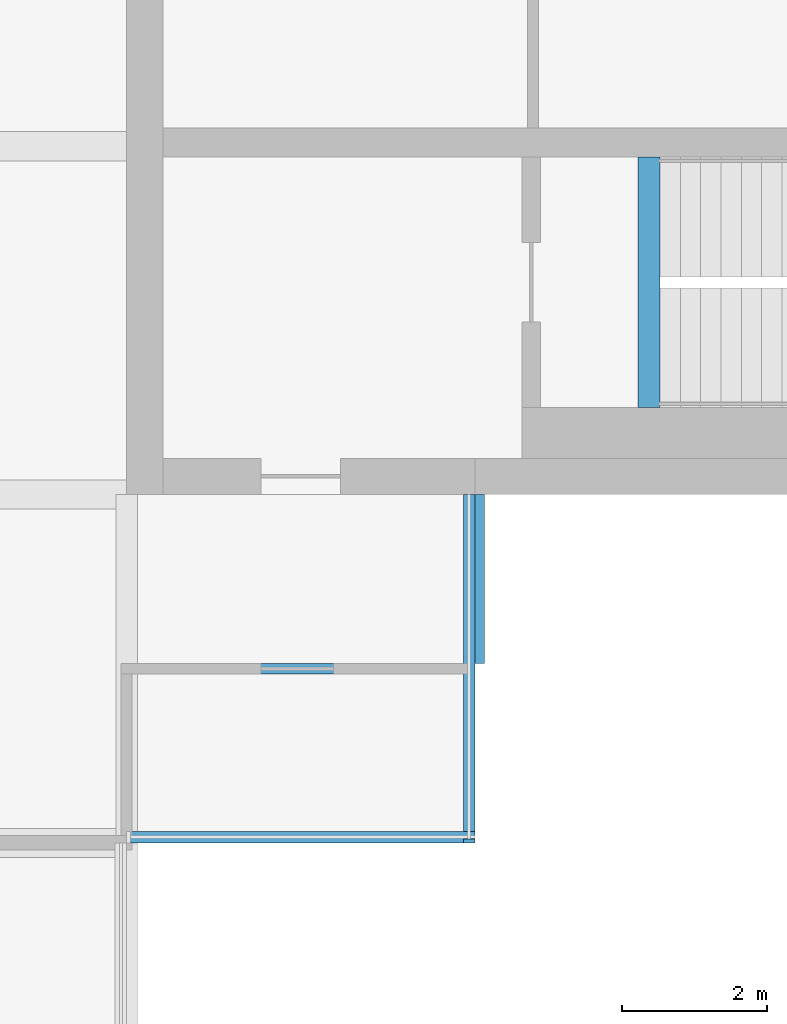
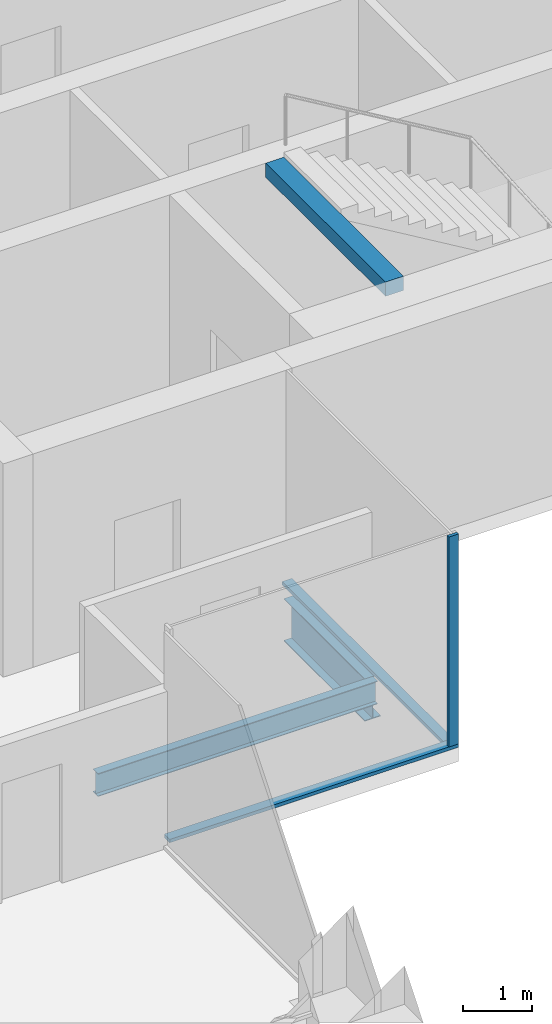
# One storey, part 4 of 11: 3 beams, 3 members, 2 elements without a shape of their own.
"""IFC4 building model written with IfcOpenShell, lengths in metres."""

from ifc_helpers import new_model, si_unit, direction, frame, origin, origin_2d, place, context, subcontext, project, spatial, rectangle, i_section, extrude, material, material_profile, profile_set, type_object, element, aggregate, save


model = new_model("IFC4")

# Units and contexts
model_context = context("Model", 3, precision=1e-05, world=origin(), true_north=direction((0.0, 1.0)))
body_context = subcontext(model_context, "Body", "Model", "MODEL_VIEW")
ifc_project = project(units=[si_unit("LENGTHUNIT", "METRE"), si_unit("AREAUNIT", "SQUARE_METRE"), si_unit("VOLUMEUNIT", "CUBIC_METRE"), si_unit("PLANEANGLEUNIT", "RADIAN"), si_unit("MASSUNIT", "GRAM", prefix="KILO")], contexts=[model_context])

# Site, building, storey
site_placement = place(None, origin())
site = spatial("IfcSite", under=ifc_project, at=site_placement, CompositionType="ELEMENT")
building_placement = place(site_placement, origin())
building = spatial("IfcBuilding", under=site, at=building_placement, Name="Baori Bourse Tower", CompositionType="ELEMENT")
storey_placement = place(building_placement, frame((0.0, 0.0, 354.300048828125)))
storey = spatial("IfcBuildingStorey", under=building, at=storey_placement, Name="L79", CompositionType="ELEMENT", Elevation=354.300048828125)

# Curtain wall, members
ifc_material_1 = material(Name="Pale anodised aluminium", Category="aluminium")
curtain_wall_type = type_object("IfcCurtainWallType", Name="CW3 Curtain wall", PredefinedType="NOTDEFINED", material=ifc_material_1)
curtain_wall_1_placement = place(storey_placement, origin())
curtain_wall_1 = element("IfcCurtainWall", 1, at=curtain_wall_1_placement, inside=storey, type_object=curtain_wall_type, Name="Curtain wall CW3 L79 1", PredefinedType="NOTDEFINED")
ifc_material_2 = material(Name="Pale anodised aluminium", Category="aluminium")
ifc_material_profile_1 = material_profile(ifc_material_2, rectangle(XDim=0.159912109375, YDim=0.050048828125, at=origin_2d()), Name="Mullion 50x160")
ifc_profile_set_1 = profile_set([ifc_material_profile_1], Name="Pale anodised aluminium")
member_type_1 = type_object("IfcMemberType", Name="CW3 Curtain wall mullion", PredefinedType="MULLION", material=ifc_profile_set_1)
member_1_placement = place(storey_placement, frame((43.1201171875, 4.824951171875, 0.06005859375), z_axis=(0.0, 0.0, 1.0), x_axis=(-1.0, 0.0, 0.0)))
member_1 = element("IfcMember", 2, at=member_1_placement, type_object=member_type_1, Name="Curtain wall CW3 mullion", PredefinedType="MULLION", context=body_context, shape_type="SweptSolid", body=[
    extrude(rectangle(XDim=0.159912109375, YDim=0.050048828125, at=origin_2d()), origin(), (0.0, 0.0, 1.0), 3.68994140625),
])
ifc_material_3 = material(Name="Pale anodised aluminium", Category="aluminium")
ifc_material_profile_2 = material_profile(ifc_material_3, rectangle(XDim=0.159912109375, YDim=0.06005859375, at=origin_2d()), Name="Transom 60x160")
ifc_profile_set_2 = profile_set([ifc_material_profile_2], Name="Pale anodised aluminium")
member_type_2 = type_object("IfcMemberType", Name="CW3 Curtain wall transom", PredefinedType="USERDEFINED", material=ifc_profile_set_2)
member_2_placement = place(storey_placement, frame((43.1201171875, 4.800048828125, 0.030029296875), z_axis=(0.0, 1.0, 0.0), x_axis=(-1.0, 0.0, 0.0)))
member_2 = element("IfcMember", 3, at=member_2_placement, type_object=member_type_2, Name="Curtain wall CW3 sill rail", ObjectType="TRANSOM", PredefinedType="USERDEFINED", context=body_context, shape_type="SweptSolid", body=[
    extrude(rectangle(XDim=0.159912109375, YDim=0.06005859375, at=origin_2d()), origin(), (0.0, 0.0, 1.0), 4.800048828125),
])
aggregate(curtain_wall_1, [member_2, member_1])

# Curtain wall, member
curtain_wall_2_placement = place(storey_placement, origin())
curtain_wall_2 = element("IfcCurtainWall", 4, at=curtain_wall_2_placement, inside=storey, type_object=curtain_wall_type, Name="Curtain wall CW3 L79 16", PredefinedType="NOTDEFINED")
member_3_placement = place(storey_placement, frame((38.39990234375, 4.8798828125, 0.030029296875), z_axis=(1.0, 0.0, 0.0), x_axis=(0.0, 1.0, 0.0)))
member_3 = element("IfcMember", 5, at=member_3_placement, type_object=member_type_2, Name="Curtain wall CW3 sill rail", ObjectType="TRANSOM", PredefinedType="USERDEFINED", context=body_context, shape_type="SweptSolid", body=[
    extrude(rectangle(XDim=0.159912109375, YDim=0.06005859375, at=origin_2d()), origin(), (0.0, 0.0, 1.0), 4.800048828125),
])
aggregate(curtain_wall_2, [member_3])

# Beams
ifc_material_4 = material(Name="Steel A992 Gr 50", Category="steel")
ifc_material_profile_3 = material_profile(ifc_material_4, i_section(OverallWidth=0.26416015625, OverallDepth=0.749267578125, WebThickness=0.011962890625, FlangeThickness=0.015380859375, at=origin_2d()), Name="W30x90")
ifc_profile_set_3 = profile_set([ifc_material_profile_3], Name="Steel A992 Gr 50")
beam_type_1 = type_object("IfcBeamType", Name="Core bracket W30x90", PredefinedType="BEAM", material=ifc_profile_set_3)
beam_1_placement = place(storey_placement, frame((43.199951171875, 7.270263671875, -0.624755859375), z_axis=(0.0, 1.0, 0.0), x_axis=(-1.0, 0.0, 0.0)))
element("IfcBeam", 6, at=beam_1_placement, inside=storey, type_object=beam_type_1, Name="Core bracket L79", PredefinedType="BEAM", context=body_context, shape_type="SweptSolid", body=[
    extrude(i_section(OverallWidth=0.26416015625, OverallDepth=0.749267578125, WebThickness=0.011962890625, FlangeThickness=0.015380859375, at=origin_2d()), origin(), (0.0, 0.0, 1.0), 2.329833984375),
])
ifc_material_5 = material(Name="Concrete f'c 50 MPa", Category="concrete")
ifc_material_profile_4 = material_profile(ifc_material_5, rectangle(XDim=0.300048828125, YDim=0.25, at=origin_2d()), Name="RC 300x250")
ifc_profile_set_4 = profile_set([ifc_material_profile_4], Name="Concrete f'c 50 MPa")
beam_type_2 = type_object("IfcBeamType", Name="Stair nib beam RC 300x250", PredefinedType="BEAM", material=ifc_profile_set_4)
beam_2_placement = place(storey_placement, frame((45.60009765625, 10.800048828125, 3.625), z_axis=(0.0, 1.0, 0.0), x_axis=(-1.0, 0.0, 0.0)))
element("IfcBeam", 7, at=beam_2_placement, inside=storey, type_object=beam_type_2, Name="Stair EA nib beam L80", PredefinedType="BEAM", context=body_context, shape_type="SweptSolid", body=[
    extrude(rectangle(XDim=0.300048828125, YDim=0.25, at=origin_2d()), origin(), (0.0, 0.0, 1.0), 3.449951171875),
])
ifc_material_6 = material(Name="Steel A992 Gr 50", Category="steel")
ifc_material_profile_5 = material_profile(ifc_material_6, i_section(OverallWidth=0.140380859375, OverallDepth=0.40380859375, WebThickness=0.007080078125, FlangeThickness=0.01123046875, at=origin_2d()), Name="W16x31")
ifc_profile_set_5 = profile_set([ifc_material_profile_5], Name="Steel A992 Gr 50")
beam_type_3 = type_object("IfcBeamType", Name="Trimmer beam W16x31", PredefinedType="BEAM", material=ifc_profile_set_5)
beam_3_placement = place(storey_placement, frame((38.5498046875, 7.199951171875, -0.451904296875), z_axis=(1.0, 0.0, 0.0), x_axis=(0.0, 1.0, 0.0)))
element("IfcBeam", 8, at=beam_3_placement, inside=storey, type_object=beam_type_3, Name="Trimmer beam L79", PredefinedType="BEAM", context=body_context, shape_type="SweptSolid", body=[
    extrude(i_section(OverallWidth=0.140380859375, OverallDepth=0.40380859375, WebThickness=0.007080078125, FlangeThickness=0.01123046875, at=origin_2d()), origin(), (0.0, 0.0, 1.0), 4.650146484375),
])

save(model, "model.ifc")
